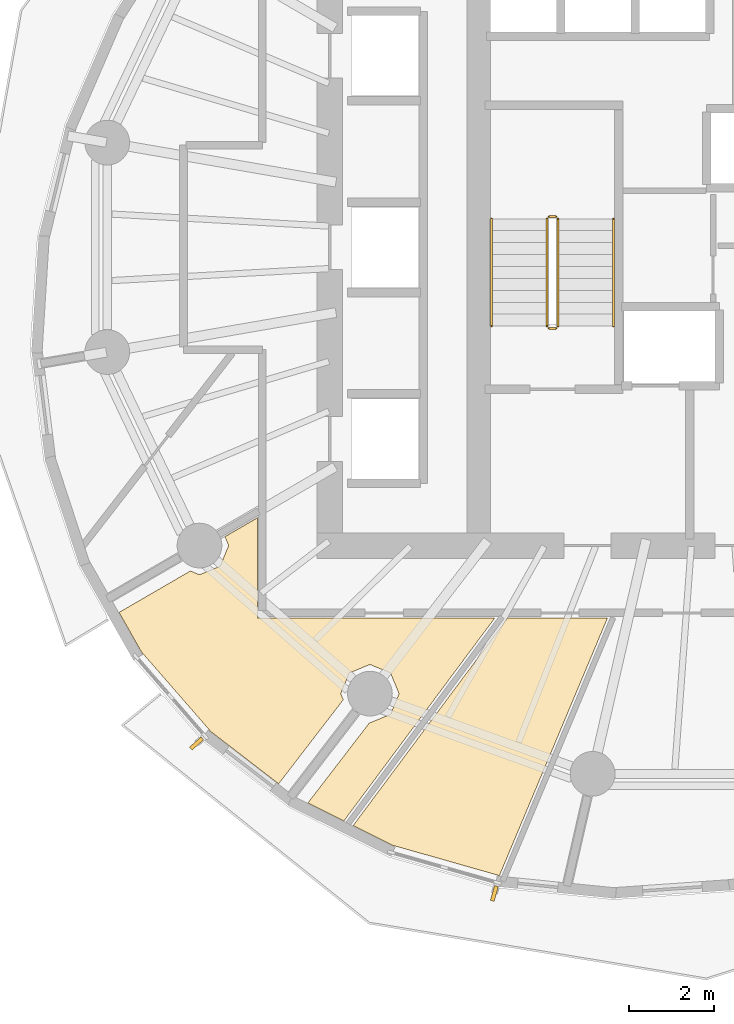
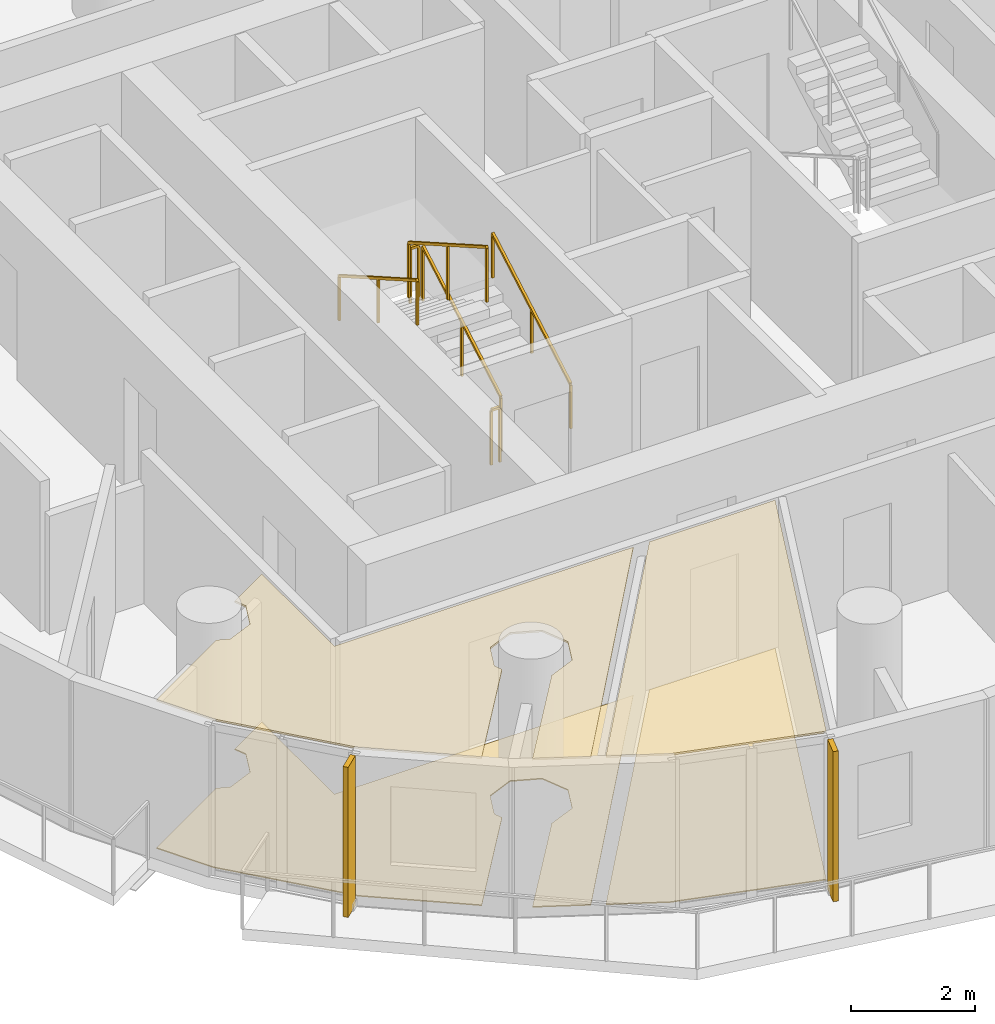
# One storey, part 8 of 12: 6 railings, 4 coverings, 2 shading devices.
"""IFC4 building model written with IfcOpenShell, lengths in metres."""

from ifc_helpers import new_model, si_unit, direction, frame, origin, origin_2d, place, context, subcontext, project, spatial, polyline, rectangle, outline, extrude, material, layer, layer_set, type_object, element, save


model = new_model("IFC4")

# Units and contexts
model_context = context("Model", 3, precision=1e-05, world=origin(), true_north=direction((0.0, 1.0)))
body_context = subcontext(model_context, "Body", "Model", "MODEL_VIEW")
ifc_project = project(units=[si_unit("LENGTHUNIT", "METRE"), si_unit("AREAUNIT", "SQUARE_METRE"), si_unit("VOLUMEUNIT", "CUBIC_METRE"), si_unit("PLANEANGLEUNIT", "RADIAN"), si_unit("MASSUNIT", "GRAM", prefix="KILO")], contexts=[model_context])

# Site, building, storey
site_placement = place(None, origin())
site = spatial("IfcSite", under=ifc_project, at=site_placement, CompositionType="ELEMENT")
building_placement = place(site_placement, origin())
building = spatial("IfcBuilding", under=site, at=building_placement, Name="Veldorim Arch Residences", CompositionType="ELEMENT")
storey_placement = place(building_placement, frame((0.0, 0.0, 145.760009765625)))
storey = spatial("IfcBuildingStorey", under=building, at=storey_placement, Name="L43", CompositionType="ELEMENT", Elevation=145.760009765625)

# Railings
ifc_material_1 = material(Name="Steel S355", Category="steel")
railing_type_1 = type_object("IfcRailingType", Name="Galvanised Steel Stair Safety Guardrail 1100", PredefinedType="GUARDRAIL", material=ifc_material_1)
railing_1_placement = place(storey_placement, frame((28.360107421875, 22.14990234375, 0.159912109375)))
element("IfcRailing", 1, at=railing_1_placement, inside=storey, type_object=railing_type_1, Name="L43 ST-1 stair guard 1", PredefinedType="GUARDRAIL", context=body_context, shape_type="SweptSolid", body=[
    extrude(rectangle(XDim=0.048095703125, YDim=0.048095703125, at=origin_2d()), frame((0.0, 0.0, 1.076171875), z_axis=(0.0, 0.868217259934, 0.496184229447), x_axis=(-1.0, 0.0, 0.0)), (0.0, 0.0, 1.0), 2.902587890625),
    extrude(rectangle(XDim=0.0419921875, YDim=0.0419921875, at=origin_2d()), origin(), (0.0, 0.0, 1.0), 1.052001953125),
    extrude(rectangle(XDim=0.0419921875, YDim=0.0419921875, at=origin_2d()), frame((0.0, 1.260009765625, 0.72021484375)), (0.0, 0.0, 1.0), 1.052001953125),
    extrude(rectangle(XDim=0.0419921875, YDim=0.0419921875, at=origin_2d()), frame((0.0, 2.52001953125, 1.440185546875)), (0.0, 0.0, 1.0), 1.052001953125),
])
railing_2_placement = place(storey_placement, frame((28.31005859375, 24.719970703125, 1.60009765625)))
element("IfcRailing", 2, at=railing_2_placement, inside=storey, type_object=railing_type_1, Name="L43 ST-1 stair guard 2", PredefinedType="GUARDRAIL", context=body_context, shape_type="SweptSolid", body=[
    extrude(rectangle(XDim=0.048095703125, YDim=0.048095703125, at=origin_2d()), frame((0.0, 0.0, 1.076171875), z_axis=(-1.0, 0.0, 0.0), x_axis=(0.0, -1.0, 0.0)), (0.0, 0.0, 1.0), 0.16015625),
    extrude(rectangle(XDim=0.0419921875, YDim=0.0419921875, at=origin_2d()), origin(), (0.0, 0.0, 1.0), 1.052001953125),
    extrude(rectangle(XDim=0.0419921875, YDim=0.0419921875, at=origin_2d()), frame((-0.16015625, 0.0, 0.0)), (0.0, 0.0, 1.0), 1.052001953125),
])
railing_3_placement = place(storey_placement, frame((28.10009765625, 24.669921875, 1.760009765625)))
element("IfcRailing", 3, at=railing_3_placement, inside=storey, type_object=railing_type_1, Name="L43 ST-1 stair guard 3", PredefinedType="GUARDRAIL", context=body_context, shape_type="SweptSolid", body=[
    extrude(rectangle(XDim=0.048095703125, YDim=0.048095703125, at=origin_2d()), frame((0.0, 0.0, 1.076171875), z_axis=(0.0, -0.868253494771, 0.496120820787), x_axis=(1.0, 0.0, 0.0)), (0.0, 0.0, 1.0), 2.90234375),
    extrude(rectangle(XDim=0.0419921875, YDim=0.0419921875, at=origin_2d()), origin(), (0.0, 0.0, 1.0), 1.052001953125),
    extrude(rectangle(XDim=0.0419921875, YDim=0.0419921875, at=origin_2d()), frame((0.0, -1.260009765625, 0.719970703125)), (0.0, 0.0, 1.0), 1.052001953125),
    extrude(rectangle(XDim=0.0419921875, YDim=0.0419921875, at=origin_2d()), frame((0.0, -2.52001953125, 1.43994140625)), (0.0, 0.0, 1.0), 1.052001953125),
])
railing_4_placement = place(storey_placement, frame((28.31005859375, 22.10009765625, 0.0)))
element("IfcRailing", 4, at=railing_4_placement, inside=storey, type_object=railing_type_1, Name="L43 ST-1 stair guard 4", PredefinedType="GUARDRAIL", context=body_context, shape_type="SweptSolid", body=[
    extrude(rectangle(XDim=0.048095703125, YDim=0.048095703125, at=origin_2d()), frame((0.0, 0.0, 1.076171875), z_axis=(-1.0, 0.0, 0.0), x_axis=(0.0, -1.0, 0.0)), (0.0, 0.0, 1.0), 0.16015625),
    extrude(rectangle(XDim=0.0419921875, YDim=0.0419921875, at=origin_2d()), origin(), (0.0, 0.0, 1.0), 1.052001953125),
    extrude(rectangle(XDim=0.0419921875, YDim=0.0419921875, at=origin_2d()), frame((-0.16015625, 0.0, 0.0)), (0.0, 0.0, 1.0), 1.052001953125),
])

# Coverings
ifc_material_2 = material(Name="Acoustic Gypsum & Mineral Fibre", Category="gypsum")
ifc_layer_1 = layer(ifc_material_2, 0.034912109375, Name="Perforated Acoustic Mineral-Fibre Ceiling 35")
ifc_layer_set_1 = layer_set([ifc_layer_1], Name="Acoustic Gypsum & Mineral Fibre")
covering_type_1 = type_object("IfcCoveringType", Name="Perforated Acoustic Mineral-Fibre Ceiling 35", PredefinedType="CEILING", material=ifc_layer_set_1)
covering_1_placement = place(storey_placement, frame((0.0, 0.0, 2.905029296875)))
element("IfcCovering", 5, at=covering_1_placement, inside=storey, type_object=covering_type_1, Name="L43 acoustic suspended ceiling 01", PredefinedType="CEILING", context=body_context, shape_type="SweptSolid", body=[
    extrude(outline(polyline([(27.175048828125, 15.300048828125), (29.52099609375, 15.300048828125), (26.9833984375, 9.252197265625), (24.481201171875, 9.963623046875), (23.551513671875, 10.427490234375), (27.175048828125, 15.300048828125)])), origin(), (0.0, 0.0, 1.0), 0.034912109375),
])
covering_2_placement = place(storey_placement, frame((0.0, 0.0, 2.905029296875)))
element("IfcCovering", 6, at=covering_2_placement, inside=storey, type_object=covering_type_1, Name="L43 acoustic suspended ceiling 02", PredefinedType="CEILING", context=body_context, shape_type="SweptSolid", body=[
    extrude(outline(polyline([(23.944091796875, 12.838623046875), (24.428466796875, 13.039306640625), (24.629150390625, 13.5234375), (24.428466796875, 14.0078125), (23.944091796875, 14.20849609375), (23.4599609375, 14.0078125), (23.25927734375, 13.5234375), (23.318603515625, 13.38037109375), (21.801513671875, 11.407470703125), (20.209716796875, 12.633056640625), (18.580322265625, 14.50537109375), (18.055908203125, 15.43115234375), (19.73046875, 16.4033203125), (19.943603515625, 16.31494140625), (20.427978515625, 16.515380859375), (20.628662109375, 16.999755859375), (20.5419921875, 17.20849609375), (21.300048828125, 17.6484375), (21.300048828125, 15.300048828125), (26.8759765625, 15.300048828125), (23.33349609375, 10.536376953125), (22.4873046875, 10.95849609375), (23.935791015625, 12.842041015625), (23.944091796875, 12.838623046875)])), origin(), (0.0, 0.0, 1.0), 0.034912109375),
])
ifc_material_3 = material(Name="Porcelain Ceramic Tile", Category="ceramic")
ifc_layer_2 = layer(ifc_material_3, 0.02001953125, Name="Slip-Resistant Porcelain & Vinyl Floor Finish 20")
ifc_layer_set_2 = layer_set([ifc_layer_2], Name="Porcelain Ceramic Tile")
covering_type_2 = type_object("IfcCoveringType", Name="Slip-Resistant Porcelain & Vinyl Floor Finish 20", PredefinedType="FLOORING", material=ifc_layer_set_2)
covering_3_placement = place(storey_placement, origin())
element("IfcCovering", 7, at=covering_3_placement, inside=storey, type_object=covering_type_2, Name="L43 porcelain floor finish 01", PredefinedType="FLOORING", context=body_context, shape_type="SweptSolid", body=[
    extrude(outline(polyline([(27.175048828125, 15.300048828125), (29.52099609375, 15.300048828125), (26.9833984375, 9.252197265625), (24.481201171875, 9.963623046875), (23.551513671875, 10.427490234375), (27.175048828125, 15.300048828125)])), origin(), (0.0, 0.0, 1.0), 0.02001953125),
])
covering_4_placement = place(storey_placement, origin())
element("IfcCovering", 8, at=covering_4_placement, inside=storey, type_object=covering_type_2, Name="L43 porcelain floor finish 02", PredefinedType="FLOORING", context=body_context, shape_type="SweptSolid", body=[
    extrude(outline(polyline([(23.944091796875, 12.838623046875), (24.428466796875, 13.039306640625), (24.629150390625, 13.5234375), (24.428466796875, 14.0078125), (23.944091796875, 14.20849609375), (23.4599609375, 14.0078125), (23.25927734375, 13.5234375), (23.318603515625, 13.38037109375), (21.801513671875, 11.407470703125), (20.209716796875, 12.633056640625), (18.580322265625, 14.50537109375), (18.055908203125, 15.43115234375), (19.73046875, 16.4033203125), (19.943603515625, 16.31494140625), (20.427978515625, 16.515380859375), (20.628662109375, 16.999755859375), (20.5419921875, 17.20849609375), (21.300048828125, 17.6484375), (21.300048828125, 15.300048828125), (26.8759765625, 15.300048828125), (23.33349609375, 10.536376953125), (22.4873046875, 10.95849609375), (23.935791015625, 12.842041015625), (23.944091796875, 12.838623046875)])), origin(), (0.0, 0.0, 1.0), 0.02001953125),
])

# Railings
ifc_material_4 = material(Name="Stainless Steel", Category="steel")
railing_type_2 = type_object("IfcRailingType", Name="Tubular Steel Continuous Wall Handrail 900", PredefinedType="HANDRAIL", material=ifc_material_4)
railing_5_placement = place(storey_placement, frame((29.659912109375, 22.14990234375, 0.159912109375)))
element("IfcRailing", 9, at=railing_5_placement, inside=storey, type_object=railing_type_2, Name="L43 ST-1 stair handrail 1", PredefinedType="HANDRAIL", context=body_context, shape_type="SweptSolid", body=[
    extrude(rectangle(XDim=0.048095703125, YDim=0.048095703125, at=origin_2d()), frame((0.0, 0.0, 0.8759765625), z_axis=(0.0, 0.868217259934, 0.496184229447), x_axis=(-1.0, 0.0, 0.0)), (0.0, 0.0, 1.0), 2.902587890625),
    extrude(rectangle(XDim=0.0419921875, YDim=0.0419921875, at=origin_2d()), origin(), (0.0, 0.0, 1.0), 0.851806640625),
    extrude(rectangle(XDim=0.0419921875, YDim=0.0419921875, at=origin_2d()), frame((0.0, 1.260009765625, 0.72021484375)), (0.0, 0.0, 1.0), 0.851806640625),
    extrude(rectangle(XDim=0.0419921875, YDim=0.0419921875, at=origin_2d()), frame((0.0, 2.52001953125, 1.440185546875)), (0.0, 0.0, 1.0), 0.851806640625),
])
railing_6_placement = place(storey_placement, frame((26.800048828125, 24.669921875, 1.760009765625)))
element("IfcRailing", 10, at=railing_6_placement, inside=storey, type_object=railing_type_2, Name="L43 ST-1 stair handrail 2", PredefinedType="HANDRAIL", context=body_context, shape_type="SweptSolid", body=[
    extrude(rectangle(XDim=0.048095703125, YDim=0.048095703125, at=origin_2d()), frame((0.0, 0.0, 0.8759765625), z_axis=(0.0, -0.868253494771, 0.496120820787), x_axis=(1.0, 0.0, 0.0)), (0.0, 0.0, 1.0), 2.90234375),
    extrude(rectangle(XDim=0.0419921875, YDim=0.0419921875, at=origin_2d()), origin(), (0.0, 0.0, 1.0), 0.851806640625),
    extrude(rectangle(XDim=0.0419921875, YDim=0.0419921875, at=origin_2d()), frame((0.0, -1.260009765625, 0.719970703125)), (0.0, 0.0, 1.0), 0.851806640625),
    extrude(rectangle(XDim=0.0419921875, YDim=0.0419921875, at=origin_2d()), frame((0.0, -2.52001953125, 1.43994140625)), (0.0, 0.0, 1.0), 0.851806640625),
])

# Shading devices
ifc_material_5 = material(Name="Terracotta Ceramic", Category="masonry")
ifc_layer_3 = layer(ifc_material_5, 0.090087890625, Name="Vertical Extruded Terracotta Baguette Sun-Shading Fin")
ifc_layer_set_3 = layer_set([ifc_layer_3], Name="Terracotta Ceramic")
shading_device_type = type_object("IfcShadingDeviceType", Name="Vertical Extruded Terracotta Baguette Sun-Shading Fin", PredefinedType="USERDEFINED", material=ifc_layer_set_3)
for number, where, z_axis, x_axis, name in (
    (11, (19.87548828125, 12.3544921875, 0.0), (0.0, 0.0, 1.0), (-0.656454104053, 0.75436596508, 0.0), "L43 vertical terracotta sun-shading fin 19"),
    (12, (26.86572265625, 8.833251953125, 0.0), (0.0, 0.0, 1.0), (-0.961836880762, 0.273623490961, 0.0), "L43 vertical terracotta sun-shading fin 22"),
):
    element("IfcShadingDevice", number, at=place(storey_placement, frame(where, z_axis=z_axis, x_axis=x_axis)), inside=storey, type_object=shading_device_type, Name=name, ObjectType="FIN", PredefinedType="USERDEFINED", context=body_context, shape_type="SweptSolid", body=[
        extrude(rectangle(XDim=0.090087890625, YDim=0.360107421875, at=origin_2d()), origin(), (0.0, 0.0, 1.0), 2.9599609375),
    ])

save(model, "model.ifc")
